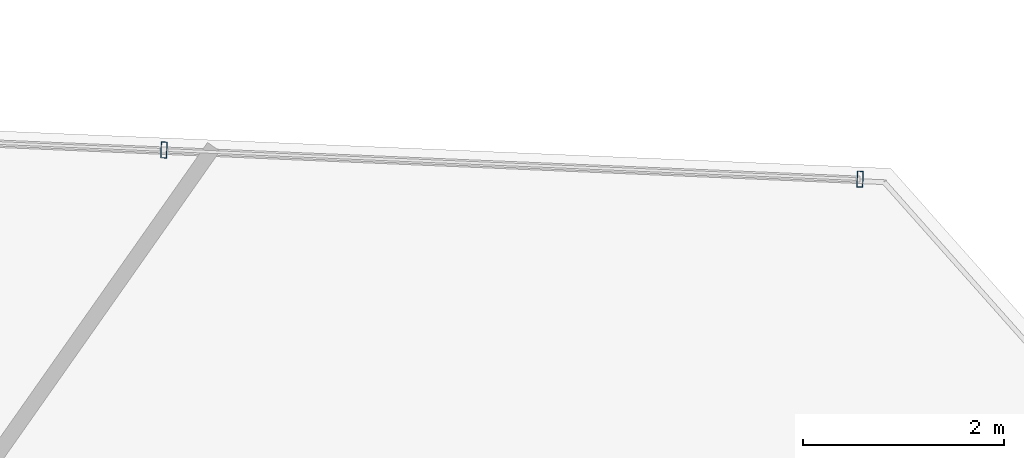
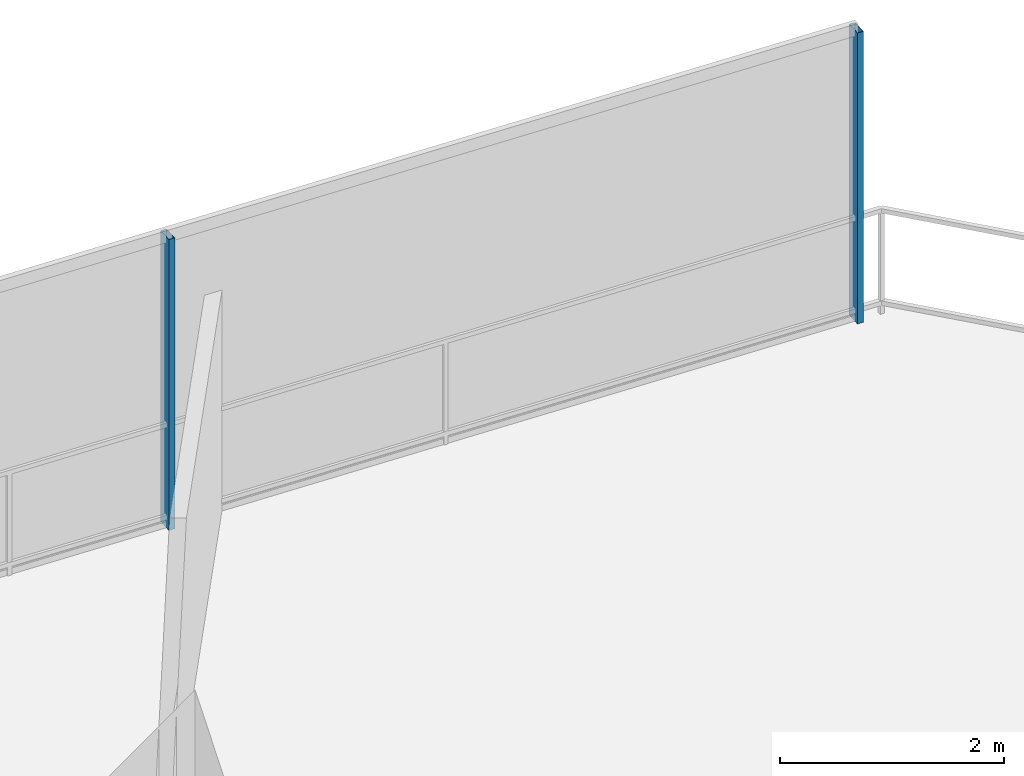
# One storey, part 22 of 30: 2 members, 1 element without a shape of its own.
"""IFC4 building model written with IfcOpenShell, lengths in metres."""

from ifc_helpers import new_model, si_unit, direction, frame, origin, origin_2d, place, context, subcontext, project, spatial, hollow_rectangle, extrude, material, layer, layer_set, material_profile, profile_set, type_object, element, aggregate, save


model = new_model("IFC4")

# Units and contexts
model_context = context("Model", 3, precision=1e-05, world=origin(), true_north=direction((0.0, 1.0)))
body_context = subcontext(model_context, "Body", "Model", "MODEL_VIEW")
ifc_project = project(units=[si_unit("LENGTHUNIT", "METRE"), si_unit("AREAUNIT", "SQUARE_METRE"), si_unit("VOLUMEUNIT", "CUBIC_METRE"), si_unit("PLANEANGLEUNIT", "RADIAN"), si_unit("MASSUNIT", "GRAM", prefix="KILO")], contexts=[model_context])

# Site, building, storey
site_placement = place(None, origin())
site = spatial("IfcSite", under=ifc_project, at=site_placement, CompositionType="ELEMENT")
building_placement = place(site_placement, origin())
building = spatial("IfcBuilding", under=site, at=building_placement, Name="Qarnah Convention Tower", CompositionType="ELEMENT")
storey_placement = place(building_placement, frame((0.0, 0.0, 58.050048828125)))
storey = spatial("IfcBuildingStorey", under=building, at=storey_placement, Name="L14", CompositionType="ELEMENT", Elevation=58.050048828125)

# Curtain wall, members
ifc_material_1 = material(Name="Tempered Low-E dark glass", Category="glass")
ifc_layer = layer(ifc_material_1, 0.16796875)
ifc_layer_set = layer_set([ifc_layer], Name="Tempered Low-E dark glass")
curtain_wall_type = type_object("IfcCurtainWallType", Name="CWS-01", PredefinedType="NOTDEFINED", material=ifc_layer_set)
curtain_wall_placement = place(storey_placement, origin())
curtain_wall = element("IfcCurtainWall", 1, at=curtain_wall_placement, inside=storey, type_object=curtain_wall_type, Name="L14 unitised curtain wall CW-L14-F3", PredefinedType="NOTDEFINED")
ifc_material_2 = material(Name="Black anodised aluminium", Category="aluminium")
ifc_material_profile = material_profile(ifc_material_2, hollow_rectangle(XDim=0.06005859375, YDim=0.159912109375, WallThickness=0.00390625, at=origin_2d()), Name="MUL-60X160")
ifc_profile_set = profile_set([ifc_material_profile], Name="Black anodised aluminium")
member_type = type_object("IfcMemberType", Name="MUL-T1", PredefinedType="MULLION", material=ifc_profile_set)
member_1_placement = place(storey_placement, frame((49.46142578125, 44.189453125, 0.0), z_axis=(0.0, 0.0, 1.0), x_axis=(0.999122796479, -0.041876455876, 0.0)))
member_1 = element("IfcMember", 2, at=member_1_placement, type_object=member_type, Name="CW-L14-F3 mullion 5", PredefinedType="MULLION", context=body_context, shape_type="SweptSolid", body=[
    extrude(hollow_rectangle(XDim=0.06005859375, YDim=0.159912109375, WallThickness=0.00390625, at=origin_2d()), origin(), (0.0, 0.0, 1.0), 3.169921875),
])
member_2_placement = place(storey_placement, frame((56.389892578125, 43.89892578125, 0.0), z_axis=(0.0, 0.0, 1.0), x_axis=(0.999122796479, -0.041876455876, 0.0)))
member_2 = element("IfcMember", 3, at=member_2_placement, type_object=member_type, Name="CW-L14-F3 mullion 6", PredefinedType="MULLION", context=body_context, shape_type="SweptSolid", body=[
    extrude(hollow_rectangle(XDim=0.06005859375, YDim=0.159912109375, WallThickness=0.00390625, at=origin_2d()), origin(), (0.0, 0.0, 1.0), 3.169921875),
])
aggregate(curtain_wall, [member_1, member_2])

save(model, "model.ifc")
